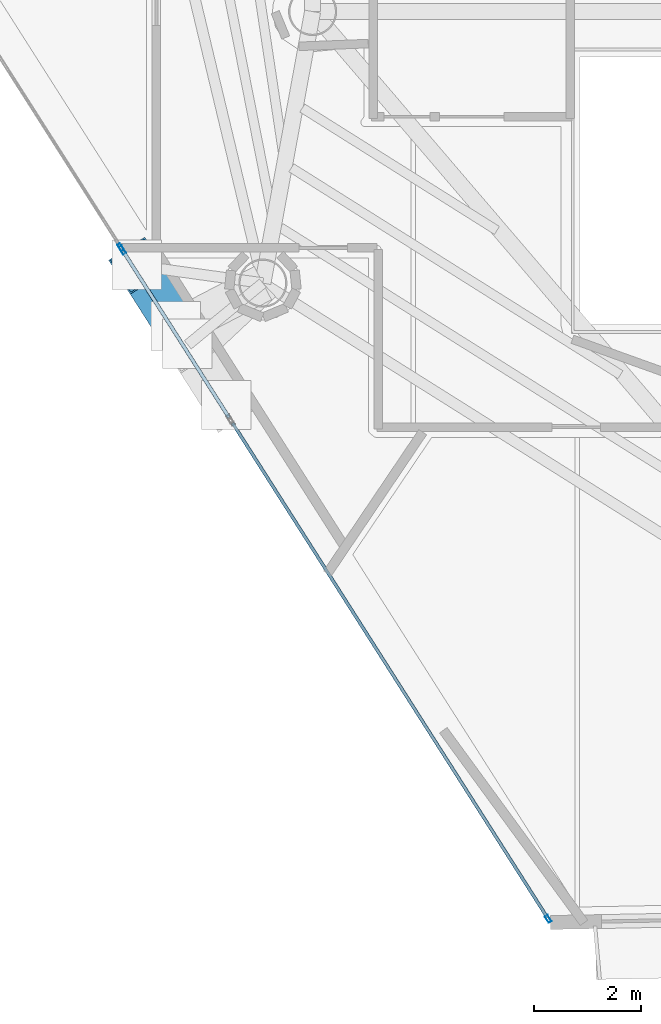
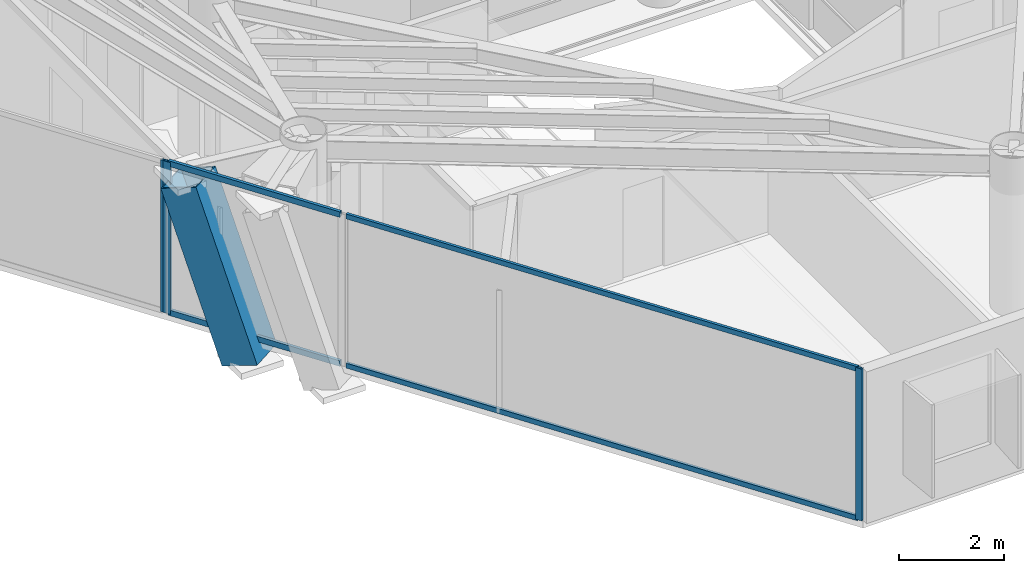
# One storey, part 2 of 25: 8 members, 3 elements without a shape of their own.
"""IFC4 building model written with IfcOpenShell, lengths in metres."""

from ifc_helpers import new_model, si_unit, direction, frame, origin, origin_2d, place, context, subcontext, project, spatial, hollow_rectangle, extrude, material, layer, layer_set, material_profile, profile_set, type_object, element, aggregate, save


model = new_model("IFC4")

# Units and contexts
model_context = context("Model", 3, precision=1e-05, world=origin(), true_north=direction((0.0, 1.0)))
body_context = subcontext(model_context, "Body", "Model", "MODEL_VIEW")
ifc_project = project(units=[si_unit("LENGTHUNIT", "METRE"), si_unit("AREAUNIT", "SQUARE_METRE"), si_unit("VOLUMEUNIT", "CUBIC_METRE"), si_unit("PLANEANGLEUNIT", "RADIAN"), si_unit("MASSUNIT", "GRAM", prefix="KILO")], contexts=[model_context])

# Site, building, storey
site_placement = place(None, origin())
site = spatial("IfcSite", under=ifc_project, at=site_placement, CompositionType="ELEMENT")
building_placement = place(site_placement, origin())
building = spatial("IfcBuilding", under=site, at=building_placement, Name="Qianvela Tower", CompositionType="ELEMENT")
storey_placement = place(building_placement, frame((0.0, 0.0, 295.39990234375)))
storey = spatial("IfcBuildingStorey", under=building, at=storey_placement, Name="L76", CompositionType="ELEMENT", Elevation=295.39990234375)

# Curtain wall, members
ifc_material_1 = material(Name="Anodised Architectural Aluminium and Insulated Spandrel Panel", Category="aluminium")
ifc_layer_1 = layer(ifc_material_1, 0.179931640625)
ifc_layer_set_1 = layer_set([ifc_layer_1], Name="Anodised Architectural Aluminium and Insulated Spandrel Panel")
curtain_wall_type_1 = type_object("IfcCurtainWallType", Name="CW-BRACEBAY", PredefinedType="USERDEFINED", material=ifc_layer_set_1)
curtain_wall_1_placement = place(storey_placement, origin())
curtain_wall_1 = element("IfcCurtainWall", 1, at=curtain_wall_1_placement, inside=storey, type_object=curtain_wall_type_1, Name="L76 CW-BRACEBAY Curtain Wall 04B", ObjectType="CURTAIN_WALL_SYSTEM", PredefinedType="USERDEFINED")
ifc_material_2 = material(Name="Anodised Architectural Aluminium 6063-T6", Category="aluminium")
ifc_material_profile_1 = material_profile(ifc_material_2, hollow_rectangle(XDim=0.06494140625, YDim=0.159912109375, WallThickness=0.0048828125, at=origin_2d()), Name="ALU-MULL-65x160")
ifc_profile_set_1 = profile_set([ifc_material_profile_1], Name="Anodised Architectural Aluminium 6063-T6")
member_type_1 = type_object("IfcMemberType", Name="CW-BRACEBAY-MULL", PredefinedType="MULLION", material=ifc_profile_set_1)
member_1_placement = place(storey_placement, frame((25.04345703125, 19.39306640625, 0.0), z_axis=(0.0, 0.0, 1.0), x_axis=(0.84358258531, 0.536999461603, 0.0)))
member_1 = element("IfcMember", 2, at=member_1_placement, type_object=member_type_1, Name="CW-9 mullion 1", PredefinedType="MULLION", context=body_context, shape_type="SweptSolid", body=[
    extrude(hollow_rectangle(XDim=0.06494140625, YDim=0.159912109375, WallThickness=0.0048828125, at=origin_2d()), origin(), (0.0, 0.0, 1.0), 3.52001953125),
])
ifc_material_3 = material(Name="Anodised Architectural Aluminium 6063-T6", Category="aluminium")
ifc_material_profile_2 = material_profile(ifc_material_3, hollow_rectangle(XDim=0.06494140625, YDim=0.1298828125, WallThickness=0.00439453125, at=origin_2d()), Name="ALU-TRAN-65x130")
ifc_profile_set_2 = profile_set([ifc_material_profile_2], Name="Anodised Architectural Aluminium 6063-T6")
member_type_2 = type_object("IfcMemberType", Name="CW-BRACEBAY-TRAN", PredefinedType="USERDEFINED", material=ifc_profile_set_2)
member_2_placement = place(storey_placement, frame((25.06103515625, 19.36572265625, 0.03271484375), z_axis=(0.536969928227, -0.843601384648, 0.0), x_axis=(0.843601384648, 0.536969928227, 0.0)))
member_2 = element("IfcMember", 3, at=member_2_placement, type_object=member_type_2, Name="CW-9 transom 1.1", ObjectType="TRANSOM", PredefinedType="USERDEFINED", context=body_context, shape_type="SweptSolid", body=[
    extrude(hollow_rectangle(XDim=0.06494140625, YDim=0.1298828125, WallThickness=0.00439453125, at=origin_2d()), origin(), (0.0, 0.0, 1.0), 3.679931640625),
])
member_3_placement = place(storey_placement, frame((25.06103515625, 19.36572265625, 3.487548828125), z_axis=(0.536969928227, -0.843601384648, 0.0), x_axis=(0.843601384648, 0.536969928227, 0.0)))
member_3 = element("IfcMember", 4, at=member_3_placement, type_object=member_type_2, Name="CW-9 transom 1.2", ObjectType="TRANSOM", PredefinedType="USERDEFINED", context=body_context, shape_type="SweptSolid", body=[
    extrude(hollow_rectangle(XDim=0.06494140625, YDim=0.1298828125, WallThickness=0.00439453125, at=origin_2d()), origin(), (0.0, 0.0, 1.0), 3.679931640625),
])
aggregate(curtain_wall_1, [member_1, member_2, member_3])

# Curtain wall, member
ifc_material_4 = material(Name="Anodised Architectural Aluminium and Low-E Glass", Category="aluminium")
ifc_layer_2 = layer(ifc_material_4, 0.14990234375)
ifc_layer_set_2 = layer_set([ifc_layer_2], Name="Anodised Architectural Aluminium and Low-E Glass")
curtain_wall_type_2 = type_object("IfcCurtainWallType", Name="CW-COLIV-Z78", PredefinedType="USERDEFINED", material=ifc_layer_set_2)
curtain_wall_2_placement = place(storey_placement, origin())
curtain_wall_2 = element("IfcCurtainWall", 5, at=curtain_wall_2_placement, inside=storey, type_object=curtain_wall_type_2, Name="L76 CW-COLIV-Z78 Curtain Wall 04A", ObjectType="CURTAIN_WALL_SYSTEM", PredefinedType="USERDEFINED")
ifc_material_5 = material(Name="Anodised Architectural Aluminium 6063-T6", Category="aluminium")
ifc_material_profile_3 = material_profile(ifc_material_5, hollow_rectangle(XDim=0.06005859375, YDim=0.139892578125, WallThickness=0.00439453125, at=origin_2d()), Name="ALU-MULL-60x140")
ifc_profile_set_3 = profile_set([ifc_material_profile_3], Name="Anodised Architectural Aluminium 6063-T6")
member_type_3 = type_object("IfcMemberType", Name="CW-COLIV-Z78-MULL", PredefinedType="MULLION", material=ifc_profile_set_3)
member_4_placement = place(storey_placement, frame((25.010009765625, 19.44580078125, 0.0), z_axis=(0.0, 0.0, 1.0), x_axis=(0.843577423445, 0.537007570388, 0.0)))
member_4 = element("IfcMember", 6, at=member_4_placement, type_object=member_type_3, Name="CW-6 mullion 3", PredefinedType="MULLION", context=body_context, shape_type="SweptSolid", body=[
    extrude(hollow_rectangle(XDim=0.06005859375, YDim=0.139892578125, WallThickness=0.00439453125, at=origin_2d()), origin(), (0.0, 0.0, 1.0), 3.52001953125),
])
aggregate(curtain_wall_2, [member_4])

# Curtain wall, members
curtain_wall_3_placement = place(storey_placement, origin())
curtain_wall_3 = element("IfcCurtainWall", 7, at=curtain_wall_3_placement, inside=storey, type_object=curtain_wall_type_2, Name="L76 CW-COLIV-Z78 Curtain Wall 04C", ObjectType="CURTAIN_WALL_SYSTEM", PredefinedType="USERDEFINED")
member_5_placement = place(storey_placement, frame((33.004150390625, 6.887939453125, 0.0), z_axis=(0.0, 0.0, 1.0), x_axis=(0.843580437278, 0.537002835971, 0.0)))
member_5 = element("IfcMember", 8, at=member_5_placement, type_object=member_type_3, Name="CW-6 mullion 2", PredefinedType="MULLION", context=body_context, shape_type="SweptSolid", body=[
    extrude(hollow_rectangle(XDim=0.06005859375, YDim=0.139892578125, WallThickness=0.00439453125, at=origin_2d()), origin(), (0.0, 0.0, 1.0), 3.52001953125),
])
ifc_material_6 = material(Name="Anodised Architectural Aluminium 6063-T6", Category="aluminium")
ifc_material_profile_4 = material_profile(ifc_material_6, hollow_rectangle(XDim=0.06005859375, YDim=0.114990234375, WallThickness=0.00390625, at=origin_2d()), Name="ALU-TRAN-60x115")
ifc_profile_set_4 = profile_set([ifc_material_profile_4], Name="Anodised Architectural Aluminium 6063-T6")
member_type_4 = type_object("IfcMemberType", Name="CW-COLIV-Z78-TRAN", PredefinedType="USERDEFINED", material=ifc_profile_set_4)
member_6_placement = place(storey_placement, frame((27.104248046875, 16.156005859375, 0.030029296875), z_axis=(0.537011015993, -0.843575230019, 0.0), x_axis=(0.843575230019, 0.537011015993, 0.0)))
member_6 = element("IfcMember", 9, at=member_6_placement, type_object=member_type_4, Name="CW-6 transom 1.1", ObjectType="TRANSOM", PredefinedType="USERDEFINED", context=body_context, shape_type="SweptSolid", body=[
    extrude(hollow_rectangle(XDim=0.06005859375, YDim=0.114990234375, WallThickness=0.00390625, at=origin_2d()), origin(), (0.0, 0.0, 1.0), 10.95654296875),
])
member_7_placement = place(storey_placement, frame((27.104248046875, 16.156005859375, 3.489990234375), z_axis=(0.537011015993, -0.843575230019, 0.0), x_axis=(0.843575230019, 0.537011015993, 0.0)))
member_7 = element("IfcMember", 10, at=member_7_placement, type_object=member_type_4, Name="CW-6 transom 1.2", ObjectType="TRANSOM", PredefinedType="USERDEFINED", context=body_context, shape_type="SweptSolid", body=[
    extrude(hollow_rectangle(XDim=0.06005859375, YDim=0.114990234375, WallThickness=0.00390625, at=origin_2d()), origin(), (0.0, 0.0, 1.0), 10.95654296875),
])
aggregate(curtain_wall_3, [member_5, member_6, member_7])

# Member
ifc_material_7 = material(Name="Steel Q420GJC", Category="steel")
ifc_material_profile_5 = material_profile(ifc_material_7, hollow_rectangle(XDim=0.800048828125, YDim=0.800048828125, WallThickness=0.028076171875, at=origin_2d()), Name="MBOX-800x800x28")
ifc_profile_set_5 = profile_set([ifc_material_profile_5], Name="Steel Q420GJC")
member_type_5 = type_object("IfcMemberType", Name="MBR-MBRACE-800", PredefinedType="BRACE", material=ifc_profile_set_5)
member_8_placement = place(storey_placement, frame((26.03076171875, 17.9912109375, -0.48193359375), z_axis=(-0.17953365964, 0.282079903058, 0.942442885987), x_axis=(-0.843623194773, -0.536935662105, 0.0)))
element("IfcMember", 11, at=member_8_placement, inside=storey, type_object=member_type_5, Name="L76 Tier 12 Exterior Mega-Brace F2A", PredefinedType="BRACE", context=body_context, shape_type="SweptSolid", body=[
    extrude(hollow_rectangle(XDim=0.800048828125, YDim=0.800048828125, WallThickness=0.028076171875, at=origin_2d()), origin(), (0.0, 0.0, 1.0), 3.926025390625),
])

save(model, "model.ifc")
